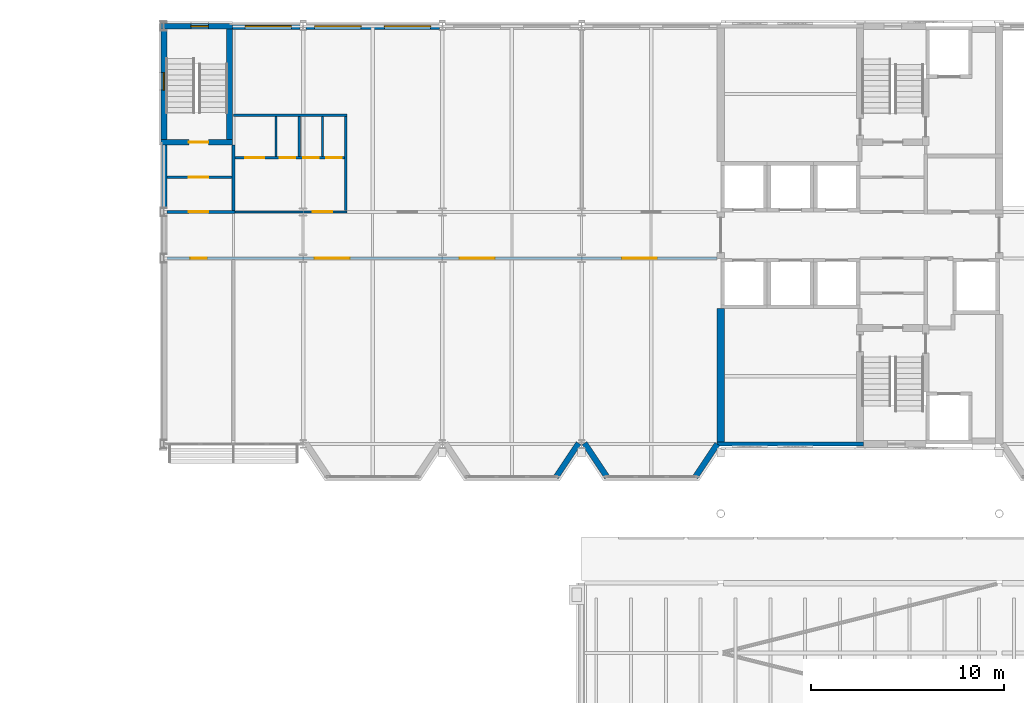
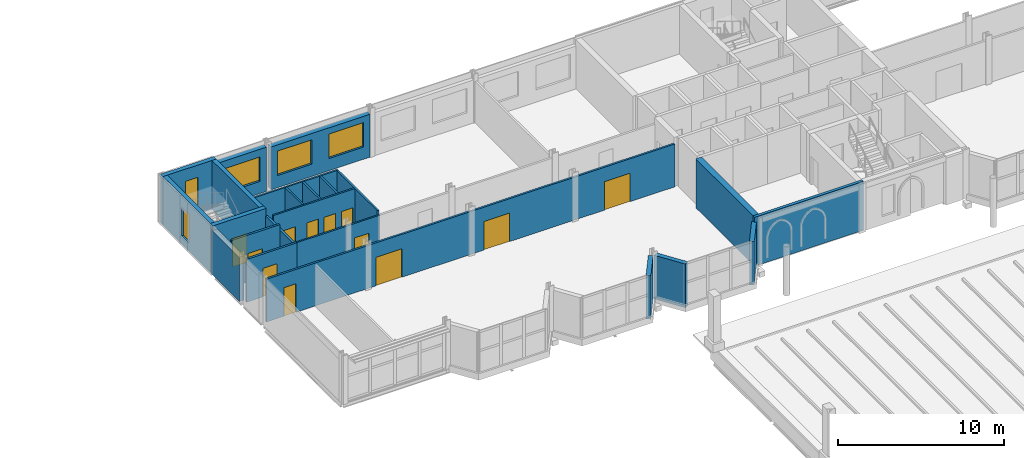
# One storey, part 61 of 120: 23 walls, 12 doors, 5 windows, 17 openings.
"""IFC4 building model written with IfcOpenShell, lengths in metres."""

from ifc_helpers import new_model, si_unit, direction, frame, frame_2d, origin, place, context, subcontext, project, spatial, rectangle, extrude, material, layer, layer_set, type_object, element, fill, save


model = new_model("IFC4")

# Units and contexts
model_context = context("Model", 3, precision=1e-05, world=origin(), true_north=direction((0.0, 1.0)))
body_context = subcontext(model_context, "Body", "Model", "MODEL_VIEW")
ifc_project = project(units=[si_unit("LENGTHUNIT", "METRE"), si_unit("AREAUNIT", "SQUARE_METRE"), si_unit("VOLUMEUNIT", "CUBIC_METRE"), si_unit("PLANEANGLEUNIT", "RADIAN"), si_unit("MASSUNIT", "GRAM", prefix="KILO")], contexts=[model_context])

# Site, building, storey
site_placement = place(None, origin())
site = spatial("IfcSite", under=ifc_project, at=site_placement, CompositionType="ELEMENT")
building_placement = place(site_placement, origin())
building = spatial("IfcBuilding", under=site, at=building_placement, Name="Kupolbacken Congress Centre", CompositionType="ELEMENT")
storey_placement = place(building_placement, frame((0.0, 0.0, 21.60009765625)))
storey = spatial("IfcBuildingStorey", under=building, at=storey_placement, Name="L06", CompositionType="ELEMENT", Elevation=21.60009765625)

# Walls
ifc_material_1 = material(Name="Limestone", Category="masonry")
ifc_layer_1 = layer(ifc_material_1, 0.06005859375)
ifc_material_2 = material(Name="Air cavity", Category="air")
ifc_layer_2 = layer(ifc_material_2, 0.0400390625, ventilated=True)
ifc_material_3 = material(Name="Mineral wool", Category="insulation")
ifc_layer_3 = layer(ifc_material_3, 0.14990234375)
ifc_material_4 = material(Name="Steel studs", Category="metal")
ifc_layer_4 = layer(ifc_material_4, 0.050048828125)
ifc_layer_set_1 = layer_set([ifc_layer_1, ifc_layer_2, ifc_layer_3, ifc_layer_4], Name="Limestone / Mineral wool / Steel studs")
wall_type_1 = type_object("IfcWallType", Name="EW01 external cavity wall 300", PredefinedType="SOLIDWALL", material=ifc_layer_set_1)
for number, where, z_axis, x_axis, name in (
    (1, (86.24658203125, 122.440185546875, 0.0), (0.0, 0.0, 1.0), (-0.554700196225, -0.832050294338, 0.0), "E/T/cumba/L06/S/006/facE"),
    (2, (86.553466796875, 122.440185546875, 0.0), (0.0, 0.0, 1.0), (0.554700196225, -0.832050294338, 0.0), "E/T/cumba/L06/S/010/facW"),
):
    element("IfcWall", number, at=place(storey_placement, frame(where, z_axis=z_axis, x_axis=x_axis)), inside=storey, type_object=wall_type_1, Name=name, PredefinedType="SOLIDWALL", context=body_context, shape_type="SweptSolid", body=[
        extrude(rectangle(XDim=2.11181640625, YDim=0.300048828125, at=frame_2d((1.055908203125, 0.0))), origin(), (0.0, 0.0, 1.0), 3.219970703125),
    ])
wall_1_placement = place(storey_placement, frame((93.419677734375, 122.39990234375, 0.0), z_axis=(0.0, 0.0, 1.0), x_axis=(-0.554700196225, -0.832050294338, 0.0)))
element("IfcWall", 3, at=wall_1_placement, inside=storey, type_object=wall_type_1, Name="E/T/cumba/L06/S/010/facE", PredefinedType="SOLIDWALL", context=body_context, shape_type="SweptSolid", body=[
    extrude(rectangle(XDim=2.063232421875, YDim=0.300048828125, at=frame_2d((1.03173828125, 0.0))), origin(), (0.0, 0.0, 1.0), 3.219970703125),
])

# Wall, openings, windows
ifc_material_5 = material(Name="Brick", Category="masonry")
ifc_layer_5 = layer(ifc_material_5, 0.10791015625)
ifc_layer_6 = layer(ifc_material_2, 0.050048828125, ventilated=True)
ifc_layer_7 = layer(ifc_material_3, 0.1298828125)
ifc_layer_8 = layer(ifc_material_4, 0.052001953125)
ifc_layer_set_2 = layer_set([ifc_layer_5, ifc_layer_6, ifc_layer_7, ifc_layer_8], Name="Brick / Mineral wool / Steel studs")
wall_type_2 = type_object("IfcWallType", Name="EW02 external cavity wall 340", PredefinedType="SOLIDWALL", material=ifc_layer_set_2)
wall_2_placement = place(storey_placement, frame((79.04638671875, 144.0, 0.0), z_axis=(0.0, 0.0, 1.0), x_axis=(-1.0, 0.0, 0.0)))
wall_2 = element("IfcWall", 4, at=wall_2_placement, inside=storey, type_object=wall_type_2, Name="E/T/N/L06/091", PredefinedType="SOLIDWALL", context=body_context, shape_type="SweptSolid", body=[
    extrude(rectangle(XDim=6.892822265625, YDim=0.340087890625, at=frame_2d((3.4462890625, 0.0))), origin(), (0.0, 0.0, 1.0), 3.159912109375),
])
opening_1_placement = place(wall_2_placement, frame((4.04638671875, 0.0, 0.89990234375)))
opening_1 = element("IfcOpeningElement", 5, at=opening_1_placement, cuts=wall_2, Name="Opening W8", PredefinedType="OPENING", context=body_context, shape_type="SweptSolid", body=[
    extrude(rectangle(XDim=2.39990234375, YDim=1.800048828125, at=frame_2d((1.199951171875, 0.89990234375))), frame((0.0, 0.179931640625, 0.0), z_axis=(0.0, -1.0, 0.0), x_axis=(1.0, 0.0, 0.0)), (0.0, 0.0, 1.0), 0.360107421875),
])
opening_2_placement = place(wall_2_placement, frame((0.446533203125, 0.0, 0.89990234375)))
opening_2 = element("IfcOpeningElement", 6, at=opening_2_placement, cuts=wall_2, Name="Opening W8", PredefinedType="OPENING", context=body_context, shape_type="SweptSolid", body=[
    extrude(rectangle(XDim=2.39990234375, YDim=1.800048828125, at=frame_2d((1.199951171875, 0.89990234375))), frame((0.0, 0.179931640625, 0.0), z_axis=(0.0, -1.0, 0.0), x_axis=(1.0, 0.0, 0.0)), (0.0, 0.0, 1.0), 0.360107421875),
])
ifc_material_6 = material(Name="Aluminium frame with double or triple glazing", Category="aluminium")
window_type_1 = type_object("IfcWindowType", Name="W8 window 2400x1800", PartitioningType="DOUBLE_PANEL_VERTICAL", PredefinedType="WINDOW", material=ifc_material_6)
window_1_placement = place(opening_1_placement, origin())
window_1 = element("IfcWindow", 7, at=window_1_placement, inside=storey, type_object=window_type_1, Name="E/T/N/L06/091/W1", OverallHeight=1.800048828125, OverallWidth=2.39990234375, PartitioningType="SINGLE_PANEL", PredefinedType="WINDOW", context=body_context, shape_type="SweptSolid", body=[
    extrude(rectangle(XDim=2.39990234375, YDim=1.800048828125, at=frame_2d((1.199951171875, 0.89990234375))), frame((0.0, 0.030029296875, 0.0), z_axis=(0.0, -1.0, 0.0), x_axis=(1.0, 0.0, 0.0)), (0.0, 0.0, 1.0), 0.06005859375),
])
fill(opening_1, window_1)
window_2_placement = place(opening_2_placement, origin())
window_2 = element("IfcWindow", 8, at=window_2_placement, inside=storey, type_object=window_type_1, Name="E/T/N/L06/091/W2", OverallHeight=1.800048828125, OverallWidth=2.39990234375, PartitioningType="SINGLE_PANEL", PredefinedType="WINDOW", context=body_context, shape_type="SweptSolid", body=[
    extrude(rectangle(XDim=2.39990234375, YDim=1.800048828125, at=frame_2d((1.199951171875, 0.89990234375))), frame((0.0, 0.030029296875, 0.0), z_axis=(0.0, -1.0, 0.0), x_axis=(1.0, 0.0, 0.0)), (0.0, 0.0, 1.0), 0.06005859375),
])
fill(opening_2, window_2)

# Wall, opening, window
wall_3_placement = place(storey_placement, frame((71.846435546875, 144.0, 0.0), z_axis=(0.0, 0.0, 1.0), x_axis=(-1.0, 0.0, 0.0)))
wall_3 = element("IfcWall", 9, at=wall_3_placement, inside=storey, type_object=wall_type_2, Name="E/T/N/L06/092", PredefinedType="SOLIDWALL", context=body_context, shape_type="SweptSolid", body=[
    extrude(rectangle(XDim=3.646484375, YDim=0.340087890625, at=frame_2d((1.8232421875, 0.0))), origin(), (0.0, 0.0, 1.0), 3.260009765625),
])
opening_3_placement = place(wall_3_placement, frame((0.446533203125, 0.0, 0.89990234375)))
opening_3 = element("IfcOpeningElement", 10, at=opening_3_placement, cuts=wall_3, Name="Opening W8", PredefinedType="OPENING", context=body_context, shape_type="SweptSolid", body=[
    extrude(rectangle(XDim=2.39990234375, YDim=1.800048828125, at=frame_2d((1.199951171875, 0.89990234375))), frame((0.0, 0.179931640625, 0.0), z_axis=(0.0, -1.0, 0.0), x_axis=(1.0, 0.0, 0.0)), (0.0, 0.0, 1.0), 0.360107421875),
])
window_3_placement = place(opening_3_placement, origin())
window_3 = element("IfcWindow", 11, at=window_3_placement, inside=storey, type_object=window_type_1, Name="E/T/N/L06/092/W1", OverallHeight=1.800048828125, OverallWidth=2.39990234375, PartitioningType="SINGLE_PANEL", PredefinedType="WINDOW", context=body_context, shape_type="SweptSolid", body=[
    extrude(rectangle(XDim=2.39990234375, YDim=1.800048828125, at=frame_2d((1.199951171875, 0.89990234375))), frame((0.0, 0.030029296875, 0.0), z_axis=(0.0, -1.0, 0.0), x_axis=(1.0, 0.0, 0.0)), (0.0, 0.0, 1.0), 0.06005859375),
])
fill(opening_3, window_3)

# Wall
wall_4_placement = place(storey_placement, frame((64.800048828125, 138.0, 0.0), z_axis=(0.0, 0.0, 1.0), x_axis=(0.0, -1.0, 0.0)))
element("IfcWall", 12, at=wall_4_placement, inside=storey, type_object=wall_type_2, Name="E/T/W/L06/096", PredefinedType="SOLIDWALL", context=body_context, shape_type="SweptSolid", body=[
    extrude(rectangle(XDim=3.375, YDim=0.340087890625, at=frame_2d((1.6875, 0.0))), origin(), (0.0, 0.0, 1.0), 3.260009765625),
])

# Wall, opening, door
ifc_material_7 = material(Name="Gypsum board", Category="drywall")
ifc_layer_9 = layer(ifc_material_7, 0.114990234375)
ifc_layer_set_3 = layer_set([ifc_layer_9], Name="Gypsum board")
wall_type_3 = type_object("IfcWallType", Name="P04 partition 115", PredefinedType="PARTITIONING", material=ifc_layer_set_3)
wall_5_placement = place(storey_placement, frame((68.330078125, 134.39990234375, 0.0), z_axis=(0.0, 0.0, 1.0), x_axis=(1.0, 0.0, 0.0)))
wall_5 = element("IfcWall", 13, at=wall_5_placement, inside=storey, type_object=wall_type_3, Name="T/wall/L06/x/13440/6840", PredefinedType="PARTITIONING", context=body_context, shape_type="SweptSolid", body=[
    extrude(rectangle(XDim=5.927490234375, YDim=0.114990234375, at=frame_2d((2.9638671875, 0.0))), origin(), (0.0, 0.0, 1.0), 3.159912109375),
])
opening_4_placement = place(wall_5_placement, frame((4.169921875, 0.0, 0.0)))
opening_4 = element("IfcOpeningElement", 14, at=opening_4_placement, cuts=wall_5, Name="Opening D39", PredefinedType="OPENING", context=body_context, shape_type="SweptSolid", body=[
    extrude(rectangle(XDim=1.0, YDim=2.10009765625, at=frame_2d((0.5, 1.050048828125))), frame((0.0, 0.0673828125, 0.0), z_axis=(0.0, -1.0, 0.0), x_axis=(1.0, 0.0, 0.0)), (0.0, 0.0, 1.0), 0.135009765625),
])
ifc_material_8 = material(Name="Timber door leaf", Category="wood")
door_type_1 = type_object("IfcDoorType", Name="D39 door 1000x2100", OperationType="SINGLE_SWING_LEFT", PredefinedType="DOOR", material=ifc_material_8)
door_1_placement = place(opening_4_placement, frame((1.0, 0.0, 0.0), z_axis=(0.0, 0.0, 1.0), x_axis=(-1.0, 0.0, 0.0)))
door_1 = element("IfcDoor", 15, at=door_1_placement, inside=storey, type_object=door_type_1, Name="T/wall/L06/x/13440/6840/D-WB-DE", OperationType="SINGLE_SWING_RIGHT", OverallHeight=2.10009765625, OverallWidth=1.0, PredefinedType="DOOR", context=body_context, shape_type="SweptSolid", body=[
    extrude(rectangle(XDim=1.0, YDim=2.10009765625, at=frame_2d((0.5, 1.050048828125))), frame((0.0, 0.02490234375, 0.0), z_axis=(0.0, -1.0, 0.0), x_axis=(1.0, 0.0, 0.0)), (0.0, 0.0, 1.0), 0.050048828125),
])
fill(opening_4, door_1)

# Wall, openings, doors
wall_6_placement = place(storey_placement, frame((68.469970703125, 137.199951171875, 0.0), z_axis=(0.0, 0.0, 1.0), x_axis=(1.0, 0.0, 0.0)))
wall_6 = element("IfcWall", 16, at=wall_6_placement, inside=storey, type_object=wall_type_3, Name="T/wall/L06/x/13720/6840", PredefinedType="PARTITIONING", context=body_context, shape_type="SweptSolid", body=[
    extrude(rectangle(XDim=5.672607421875, YDim=0.114990234375, at=frame_2d((2.83642578125, 0.0))), origin(), (0.0, 0.0, 1.0), 3.4599609375),
])
opening_5_placement = place(wall_6_placement, frame((0.530029296875, 0.0, 0.0)))
opening_5 = element("IfcOpeningElement", 17, at=opening_5_placement, cuts=wall_6, Name="Opening D39", PredefinedType="OPENING", context=body_context, shape_type="SweptSolid", body=[
    extrude(rectangle(XDim=1.0, YDim=2.10009765625, at=frame_2d((0.5, 1.050048828125))), frame((0.0, 0.0673828125, 0.0), z_axis=(0.0, -1.0, 0.0), x_axis=(1.0, 0.0, 0.0)), (0.0, 0.0, 1.0), 0.135009765625),
])
opening_6_placement = place(wall_6_placement, frame((2.330078125, 0.0, 0.0)))
opening_6 = element("IfcOpeningElement", 18, at=opening_6_placement, cuts=wall_6, Name="Opening D2", PredefinedType="OPENING", context=body_context, shape_type="SweptSolid", body=[
    extrude(rectangle(XDim=0.800048828125, YDim=2.10009765625, at=frame_2d((0.39990234375, 1.050048828125))), frame((0.0, 0.0673828125, 0.0), z_axis=(0.0, -1.0, 0.0), x_axis=(1.0, 0.0, 0.0)), (0.0, 0.0, 1.0), 0.135009765625),
])
opening_7_placement = place(wall_6_placement, frame((3.530029296875, 0.0, 0.0)))
opening_7 = element("IfcOpeningElement", 19, at=opening_7_placement, cuts=wall_6, Name="Opening D2", PredefinedType="OPENING", context=body_context, shape_type="SweptSolid", body=[
    extrude(rectangle(XDim=0.800048828125, YDim=2.10009765625, at=frame_2d((0.39990234375, 1.050048828125))), frame((0.0, 0.0673828125, 0.0), z_axis=(0.0, -1.0, 0.0), x_axis=(1.0, 0.0, 0.0)), (0.0, 0.0, 1.0), 0.135009765625),
])
opening_8_placement = place(wall_6_placement, frame((4.72998046875, 0.0, 0.0)))
opening_8 = element("IfcOpeningElement", 20, at=opening_8_placement, cuts=wall_6, Name="Opening D2", PredefinedType="OPENING", context=body_context, shape_type="SweptSolid", body=[
    extrude(rectangle(XDim=0.800048828125, YDim=2.10009765625, at=frame_2d((0.39990234375, 1.050048828125))), frame((0.0, 0.0673828125, 0.0), z_axis=(0.0, -1.0, 0.0), x_axis=(1.0, 0.0, 0.0)), (0.0, 0.0, 1.0), 0.135009765625),
])
ifc_material_9 = material(Name="Timber door leaf", Category="wood")
door_type_2 = type_object("IfcDoorType", Name="D2 door 800x2100", OperationType="SINGLE_SWING_LEFT", PredefinedType="DOOR", material=ifc_material_9)
door_2_placement = place(opening_6_placement, origin())
door_2 = element("IfcDoor", 21, at=door_2_placement, inside=storey, type_object=door_type_2, Name="T/wall/L06/x/13720/6840/D-WB-DC1", OperationType="SINGLE_SWING_LEFT", OverallHeight=2.10009765625, OverallWidth=0.800048828125, PredefinedType="DOOR", context=body_context, shape_type="SweptSolid", body=[
    extrude(rectangle(XDim=0.800048828125, YDim=2.10009765625, at=frame_2d((0.39990234375, 1.050048828125))), frame((0.0, 0.02490234375, 0.0), z_axis=(0.0, -1.0, 0.0), x_axis=(1.0, 0.0, 0.0)), (0.0, 0.0, 1.0), 0.050048828125),
])
fill(opening_6, door_2)
door_3_placement = place(opening_7_placement, origin())
door_3 = element("IfcDoor", 22, at=door_3_placement, inside=storey, type_object=door_type_2, Name="T/wall/L06/x/13720/6840/D-WB-DC2", OperationType="SINGLE_SWING_RIGHT", OverallHeight=2.10009765625, OverallWidth=0.800048828125, PredefinedType="DOOR", context=body_context, shape_type="SweptSolid", body=[
    extrude(rectangle(XDim=0.800048828125, YDim=2.10009765625, at=frame_2d((0.39990234375, 1.050048828125))), frame((0.0, 0.02490234375, 0.0), z_axis=(0.0, -1.0, 0.0), x_axis=(1.0, 0.0, 0.0)), (0.0, 0.0, 1.0), 0.050048828125),
])
fill(opening_7, door_3)
door_4_placement = place(opening_8_placement, origin())
door_4 = element("IfcDoor", 23, at=door_4_placement, inside=storey, type_object=door_type_2, Name="T/wall/L06/x/13720/6840/D-WB-DC3", OperationType="SINGLE_SWING_LEFT", OverallHeight=2.10009765625, OverallWidth=0.800048828125, PredefinedType="DOOR", context=body_context, shape_type="SweptSolid", body=[
    extrude(rectangle(XDim=0.800048828125, YDim=2.10009765625, at=frame_2d((0.39990234375, 1.050048828125))), frame((0.0, 0.02490234375, 0.0), z_axis=(0.0, -1.0, 0.0), x_axis=(1.0, 0.0, 0.0)), (0.0, 0.0, 1.0), 0.050048828125),
])
fill(opening_8, door_4)
door_5_placement = place(opening_5_placement, origin())
door_5 = element("IfcDoor", 24, at=door_5_placement, inside=storey, type_object=door_type_1, Name="T/wall/L06/x/13720/6840/D-WB-DA", OperationType="SINGLE_SWING_RIGHT", OverallHeight=2.10009765625, OverallWidth=1.0, PredefinedType="DOOR", context=body_context, shape_type="SweptSolid", body=[
    extrude(rectangle(XDim=1.0, YDim=2.10009765625, at=frame_2d((0.5, 1.050048828125))), frame((0.0, 0.02490234375, 0.0), z_axis=(0.0, -1.0, 0.0), x_axis=(1.0, 0.0, 0.0)), (0.0, 0.0, 1.0), 0.050048828125),
])
fill(opening_5, door_5)

# Walls
wall_7_placement = place(storey_placement, frame((68.39990234375, 139.39990234375, 0.0), z_axis=(0.0, 0.0, 1.0), x_axis=(1.0, 0.0, 0.0)))
element("IfcWall", 25, at=wall_7_placement, inside=storey, type_object=wall_type_3, Name="T/wall/L06/x/13940/6840", PredefinedType="PARTITIONING", context=body_context, shape_type="SweptSolid", body=[
    extrude(rectangle(XDim=5.857666015625, YDim=0.114990234375, at=frame_2d((2.9287109375, 0.0))), origin(), (0.0, 0.0, 1.0), 3.4599609375),
])
for number, where, z_axis, x_axis, name in (
    (26, (70.60009765625, 137.257568359375, 0.0), (0.0, 0.0, 1.0), (0.0, 1.0, 0.0), "T/wall/L06/y/7060/13720"),
    (27, (71.800048828125, 137.257568359375, 0.0), (0.0, 0.0, 1.0), (0.0, 1.0, 0.0), "T/wall/L06/y/7180/13720"),
    (28, (73.0, 137.257568359375, 0.0), (0.0, 0.0, 1.0), (0.0, 1.0, 0.0), "T/wall/L06/y/7300/13720"),
):
    element("IfcWall", number, at=place(storey_placement, frame(where, z_axis=z_axis, x_axis=x_axis)), inside=storey, type_object=wall_type_3, Name=name, PredefinedType="PARTITIONING", context=body_context, shape_type="SweptSolid", body=[
        extrude(rectangle(XDim=2.0849609375, YDim=0.114990234375, at=frame_2d((1.04248046875, 0.0))), origin(), (0.0, 0.0, 1.0), 3.4599609375),
    ])
wall_8_placement = place(storey_placement, frame((74.199951171875, 134.467529296875, 0.0), z_axis=(0.0, 0.0, 1.0), x_axis=(0.0, 1.0, 0.0)))
element("IfcWall", 29, at=wall_8_placement, inside=storey, type_object=wall_type_3, Name="T/wall/L06/y/7420/13440", PredefinedType="PARTITIONING", context=body_context, shape_type="SweptSolid", body=[
    extrude(rectangle(XDim=4.875, YDim=0.114990234375, at=frame_2d((2.4375, 0.0))), origin(), (0.0, 0.0, 1.0), 3.4599609375),
])

# Wall, openings, doors
ifc_material_10 = material(Name="Gypsum board", Category="drywall")
ifc_layer_10 = layer(ifc_material_10, 0.135009765625)
ifc_layer_set_4 = layer_set([ifc_layer_10], Name="Gypsum board")
wall_type_4 = type_object("IfcWallType", Name="P06 compartment wall 135", PredefinedType="PARTITIONING", material=ifc_layer_set_4)
wall_9_placement = place(storey_placement, frame((64.969970703125, 132.0, 0.0), z_axis=(0.0, 0.0, 1.0), x_axis=(1.0, 0.0, 0.0)))
wall_9 = element("IfcWall", 30, at=wall_9_placement, inside=storey, type_object=wall_type_4, Name="T/wall/L06/x/13200/6480", PredefinedType="PARTITIONING", context=body_context, shape_type="SweptSolid", body=[
    extrude(rectangle(XDim=28.429931640625, YDim=0.135009765625, at=frame_2d((14.21484375, 0.0))), origin(), (0.0, 0.0, 1.0), 3.159912109375),
])
opening_9_placement = place(wall_9_placement, frame((1.205078125, 0.0, 0.0)))
opening_9 = element("IfcOpeningElement", 31, at=opening_9_placement, cuts=wall_9, Name="Opening D3", PredefinedType="OPENING", context=body_context, shape_type="SweptSolid", body=[
    extrude(rectangle(XDim=0.85009765625, YDim=2.10009765625, at=frame_2d((0.425048828125, 1.050048828125))), frame((0.0, 0.077392578125, 0.0), z_axis=(0.0, -1.0, 0.0), x_axis=(1.0, 0.0, 0.0)), (0.0, 0.0, 1.0), 0.155029296875),
])
opening_10_placement = place(wall_9_placement, frame((7.6298828125, 0.0, 0.0)))
opening_10 = element("IfcOpeningElement", 32, at=opening_10_placement, cuts=wall_9, Name="Opening D14", PredefinedType="OPENING", context=body_context, shape_type="SweptSolid", body=[
    extrude(rectangle(XDim=1.800048828125, YDim=2.10009765625, at=frame_2d((0.89990234375, 1.050048828125))), frame((0.0, 0.077392578125, 0.0), z_axis=(0.0, -1.0, 0.0), x_axis=(1.0, 0.0, 0.0)), (0.0, 0.0, 1.0), 0.155029296875),
])
opening_11_placement = place(wall_9_placement, frame((15.1298828125, 0.0, 0.0)))
opening_11 = element("IfcOpeningElement", 33, at=opening_11_placement, cuts=wall_9, Name="Opening D14", PredefinedType="OPENING", context=body_context, shape_type="SweptSolid", body=[
    extrude(rectangle(XDim=1.800048828125, YDim=2.10009765625, at=frame_2d((0.89990234375, 1.050048828125))), frame((0.0, 0.077392578125, 0.0), z_axis=(0.0, -1.0, 0.0), x_axis=(1.0, 0.0, 0.0)), (0.0, 0.0, 1.0), 0.155029296875),
])
opening_12_placement = place(wall_9_placement, frame((23.530029296875, 0.0, 0.0)))
opening_12 = element("IfcOpeningElement", 34, at=opening_12_placement, cuts=wall_9, Name="Opening D14", PredefinedType="OPENING", context=body_context, shape_type="SweptSolid", body=[
    extrude(rectangle(XDim=1.800048828125, YDim=2.10009765625, at=frame_2d((0.89990234375, 1.050048828125))), frame((0.0, 0.077392578125, 0.0), z_axis=(0.0, -1.0, 0.0), x_axis=(1.0, 0.0, 0.0)), (0.0, 0.0, 1.0), 0.155029296875),
])
ifc_material_11 = material(Name="Steel fire door leaf", Category="steel")
door_type_3 = type_object("IfcDoorType", Name="D14 fire door 1800x2100", OperationType="DOUBLE_DOOR_SINGLE_SWING", PredefinedType="DOOR", material=ifc_material_11)
door_6_placement = place(opening_10_placement, frame((1.800048828125, 0.0, 0.0), z_axis=(0.0, 0.0, 1.0), x_axis=(-1.0, 0.0, 0.0)))
door_6 = element("IfcDoor", 35, at=door_6_placement, inside=storey, type_object=door_type_3, Name="T/wall/L06/x/13200/6480/D-OBC-S1", OperationType="DOUBLE_DOOR_SINGLE_SWING", OverallHeight=2.10009765625, OverallWidth=1.800048828125, PredefinedType="DOOR", context=body_context, shape_type="SweptSolid", body=[
    extrude(rectangle(XDim=1.800048828125, YDim=2.10009765625, at=frame_2d((0.89990234375, 1.050048828125))), frame((0.0, 0.02490234375, 0.0), z_axis=(0.0, -1.0, 0.0), x_axis=(1.0, 0.0, 0.0)), (0.0, 0.0, 1.0), 0.050048828125),
])
fill(opening_10, door_6)
door_7_placement = place(opening_11_placement, frame((1.800048828125, 0.0, 0.0), z_axis=(0.0, 0.0, 1.0), x_axis=(-1.0, 0.0, 0.0)))
door_7 = element("IfcDoor", 36, at=door_7_placement, inside=storey, type_object=door_type_3, Name="T/wall/L06/x/13200/6480/D-OBC-S2", OperationType="DOUBLE_DOOR_SINGLE_SWING", OverallHeight=2.10009765625, OverallWidth=1.800048828125, PredefinedType="DOOR", context=body_context, shape_type="SweptSolid", body=[
    extrude(rectangle(XDim=1.800048828125, YDim=2.10009765625, at=frame_2d((0.89990234375, 1.050048828125))), frame((0.0, 0.02490234375, 0.0), z_axis=(0.0, -1.0, 0.0), x_axis=(1.0, 0.0, 0.0)), (0.0, 0.0, 1.0), 0.050048828125),
])
fill(opening_11, door_7)
door_8_placement = place(opening_12_placement, frame((1.800048828125, 0.0, 0.0), z_axis=(0.0, 0.0, 1.0), x_axis=(-1.0, 0.0, 0.0)))
door_8 = element("IfcDoor", 37, at=door_8_placement, inside=storey, type_object=door_type_3, Name="T/wall/L06/x/13200/6480/D-OBC-S3", OperationType="DOUBLE_DOOR_SINGLE_SWING", OverallHeight=2.10009765625, OverallWidth=1.800048828125, PredefinedType="DOOR", context=body_context, shape_type="SweptSolid", body=[
    extrude(rectangle(XDim=1.800048828125, YDim=2.10009765625, at=frame_2d((0.89990234375, 1.050048828125))), frame((0.0, 0.02490234375, 0.0), z_axis=(0.0, -1.0, 0.0), x_axis=(1.0, 0.0, 0.0)), (0.0, 0.0, 1.0), 0.050048828125),
])
fill(opening_12, door_8)
ifc_material_12 = material(Name="Steel fire door leaf", Category="steel")
door_type_4 = type_object("IfcDoorType", Name="D3 fire door 850x2100", OperationType="SINGLE_SWING_LEFT", PredefinedType="DOOR", material=ifc_material_12)
door_9_placement = place(opening_9_placement, frame((0.85009765625, 0.0, 0.0), z_axis=(0.0, 0.0, 1.0), x_axis=(-1.0, 0.0, 0.0)))
door_9 = element("IfcDoor", 38, at=door_9_placement, inside=storey, type_object=door_type_4, Name="T/wall/L06/x/13200/6480/D-WE-D", OperationType="SINGLE_SWING_LEFT", OverallHeight=2.10009765625, OverallWidth=0.85009765625, PredefinedType="DOOR", context=body_context, shape_type="SweptSolid", body=[
    extrude(rectangle(XDim=0.85009765625, YDim=2.10009765625, at=frame_2d((0.425048828125, 1.050048828125))), frame((0.0, 0.02490234375, 0.0), z_axis=(0.0, -1.0, 0.0), x_axis=(1.0, 0.0, 0.0)), (0.0, 0.0, 1.0), 0.050048828125),
])
fill(opening_9, door_9)

# Wall, opening, door
ifc_material_13 = material(Name="Aerated concrete block", Category="masonry")
ifc_layer_11 = layer(ifc_material_13, 0.139892578125)
ifc_layer_set_5 = layer_set([ifc_layer_11], Name="Aerated concrete block")
wall_type_5 = type_object("IfcWallType", Name="P14 compartment wall 140", PredefinedType="PARTITIONING", material=ifc_layer_set_5)
wall_10_placement = place(storey_placement, frame((64.969970703125, 134.39990234375, 0.0), z_axis=(0.0, 0.0, 1.0), x_axis=(1.0, 0.0, 0.0)))
wall_10 = element("IfcWall", 39, at=wall_10_placement, inside=storey, type_object=wall_type_5, Name="T/wall/L06/x/13440/6480", PredefinedType="PARTITIONING", context=body_context, shape_type="SweptSolid", body=[
    extrude(rectangle(XDim=3.5, YDim=0.139892578125, at=frame_2d((1.75, 0.0))), origin(), (0.0, 0.0, 1.0), 3.159912109375),
])
opening_13_placement = place(wall_10_placement, frame((1.1298828125, 0.0, 0.0)))
opening_13 = element("IfcOpeningElement", 40, at=opening_13_placement, cuts=wall_10, Name="Opening D5", PredefinedType="OPENING", context=body_context, shape_type="SweptSolid", body=[
    extrude(rectangle(XDim=1.0, YDim=2.10009765625, at=frame_2d((0.5, 1.050048828125))), frame((0.0, 0.079833984375, 0.0), z_axis=(0.0, -1.0, 0.0), x_axis=(1.0, 0.0, 0.0)), (0.0, 0.0, 1.0), 0.159912109375),
])
ifc_material_14 = material(Name="Steel fire door leaf", Category="steel")
door_type_5 = type_object("IfcDoorType", Name="D5 stair door 1000x2100", OperationType="SINGLE_SWING_LEFT", PredefinedType="DOOR", material=ifc_material_14)
door_10_placement = place(opening_13_placement, frame((1.0, 0.0, 0.0), z_axis=(0.0, 0.0, 1.0), x_axis=(-1.0, 0.0, 0.0)))
door_10 = element("IfcDoor", 41, at=door_10_placement, inside=storey, type_object=door_type_5, Name="T/wall/L06/x/13440/6480/D-TS3-LK3", OperationType="SINGLE_SWING_LEFT", OverallHeight=2.10009765625, OverallWidth=1.0, PredefinedType="DOOR", context=body_context, shape_type="SweptSolid", body=[
    extrude(rectangle(XDim=1.0, YDim=2.10009765625, at=frame_2d((0.5, 1.050048828125))), frame((0.0, 0.02490234375, 0.0), z_axis=(0.0, -1.0, 0.0), x_axis=(1.0, 0.0, 0.0)), (0.0, 0.0, 1.0), 0.050048828125),
])
fill(opening_13, door_10)

wall_11_placement = place(storey_placement, frame((64.969970703125, 136.199951171875, 0.0), z_axis=(0.0, 0.0, 1.0), x_axis=(1.0, 0.0, 0.0)))
wall_11 = element("IfcWall", 42, at=wall_11_placement, inside=storey, type_object=wall_type_5, Name="T/wall/L06/x/13620/6480", PredefinedType="PARTITIONING", context=body_context, shape_type="SweptSolid", body=[
    extrude(rectangle(XDim=3.360107421875, YDim=0.139892578125, at=frame_2d((1.68017578125, 0.0))), origin(), (0.0, 0.0, 1.0), 3.4599609375),
])
opening_14_placement = place(wall_11_placement, frame((1.1298828125, 0.0, 0.0)))
opening_14 = element("IfcOpeningElement", 43, at=opening_14_placement, cuts=wall_11, Name="Opening D5", PredefinedType="OPENING", context=body_context, shape_type="SweptSolid", body=[
    extrude(rectangle(XDim=1.0, YDim=2.10009765625, at=frame_2d((0.5, 1.050048828125))), frame((0.0, 0.079833984375, 0.0), z_axis=(0.0, -1.0, 0.0), x_axis=(1.0, 0.0, 0.0)), (0.0, 0.0, 1.0), 0.159912109375),
])
door_11_placement = place(opening_14_placement, frame((1.0, 0.0, 0.0), z_axis=(0.0, 0.0, 1.0), x_axis=(-1.0, 0.0, 0.0)))
door_11 = element("IfcDoor", 44, at=door_11_placement, inside=storey, type_object=door_type_5, Name="T/wall/L06/x/13620/6480/D-TS3-LK2", OperationType="SINGLE_SWING_LEFT", OverallHeight=2.10009765625, OverallWidth=1.0, PredefinedType="DOOR", context=body_context, shape_type="SweptSolid", body=[
    extrude(rectangle(XDim=1.0, YDim=2.10009765625, at=frame_2d((0.5, 1.050048828125))), frame((0.0, 0.02490234375, 0.0), z_axis=(0.0, -1.0, 0.0), x_axis=(1.0, 0.0, 0.0)), (0.0, 0.0, 1.0), 0.050048828125),
])
fill(opening_14, door_11)

# Walls
wall_12_placement = place(storey_placement, frame((68.39990234375, 134.469970703125, 0.0), z_axis=(0.0, 0.0, 1.0), x_axis=(0.0, 1.0, 0.0)))
element("IfcWall", 45, at=wall_12_placement, inside=storey, type_object=wall_type_5, Name="T/wall/L06/y/6840/13440", PredefinedType="PARTITIONING", context=body_context, shape_type="SweptSolid", body=[
    extrude(rectangle(XDim=3.380126953125, YDim=0.139892578125, at=frame_2d((1.68994140625, 0.0))), origin(), (0.0, 0.0, 1.0), 3.059814453125),
])
ifc_material_15 = material(Name="Concrete C40/50", Category="concrete")
ifc_layer_12 = layer(ifc_material_15, 0.199951171875)
ifc_layer_set_6 = layer_set([ifc_layer_12], Name="Concrete C40/50")
wall_type_6 = type_object("IfcWallType", Name="WC1 RC shaft wall 200", PredefinedType="SHEAR", material=ifc_layer_set_6)
wall_13_placement = place(storey_placement, frame((93.39990234375, 122.39990234375, 0.0), z_axis=(0.0, 0.0, 1.0), x_axis=(1.0, 0.0, 0.0)))
element("IfcWall", 46, at=wall_13_placement, inside=storey, type_object=wall_type_6, Name="Shaft wall L06-078", PredefinedType="SHEAR", context=body_context, shape_type="SweptSolid", body=[
    extrude(rectangle(XDim=7.5751953125, YDim=0.199951171875, at=frame_2d((3.78759765625, 0.0))), origin(), (0.0, 0.0, 1.0), 3.599853515625),
])

# Wall, opening, door
ifc_material_16 = material(Name="Concrete C40/50", Category="concrete")
ifc_layer_13 = layer(ifc_material_16, 0.300048828125)
ifc_layer_set_7 = layer_set([ifc_layer_13], Name="Concrete C40/50")
wall_type_7 = type_object("IfcWallType", Name="WC3 RC core wall 300", PredefinedType="SHEAR", material=ifc_layer_set_7)
wall_14_placement = place(storey_placement, frame((64.64990234375, 138.0, 0.0), z_axis=(0.0, 0.0, 1.0), x_axis=(1.0, 0.0, 0.0)))
wall_14 = element("IfcWall", 47, at=wall_14_placement, inside=storey, type_object=wall_type_7, Name="Core wall L06-118", PredefinedType="SHEAR", context=body_context, shape_type="SweptSolid", body=[
    extrude(rectangle(XDim=3.7001953125, YDim=0.300048828125, at=frame_2d((1.85009765625, 0.0))), origin(), (0.0, 0.0, 1.0), 3.599853515625),
])
opening_15_placement = place(wall_14_placement, frame((1.449951171875, 0.0, 0.0)))
opening_15 = element("IfcOpeningElement", 48, at=opening_15_placement, cuts=wall_14, Name="Opening D5", PredefinedType="OPENING", context=body_context, shape_type="SweptSolid", body=[
    extrude(rectangle(XDim=1.0, YDim=2.10009765625, at=frame_2d((0.5, 1.050048828125))), frame((0.0, 0.159912109375, 0.0), z_axis=(0.0, -1.0, 0.0), x_axis=(1.0, 0.0, 0.0)), (0.0, 0.0, 1.0), 0.320068359375),
])
door_12_placement = place(opening_15_placement, origin())
door_12 = element("IfcDoor", 49, at=door_12_placement, inside=storey, type_object=door_type_5, Name="S/core/L06/118/D-TS3-LK1", OperationType="SINGLE_SWING_LEFT", OverallHeight=2.10009765625, OverallWidth=1.0, PredefinedType="DOOR", context=body_context, shape_type="SweptSolid", body=[
    extrude(rectangle(XDim=1.0, YDim=2.10009765625, at=frame_2d((0.5, 1.050048828125))), frame((0.0, 0.02490234375, 0.0), z_axis=(0.0, -1.0, 0.0), x_axis=(1.0, 0.0, 0.0)), (0.0, 0.0, 1.0), 0.050048828125),
])
fill(opening_15, door_12)

# Wall
wall_15_placement = place(storey_placement, frame((68.199951171875, 137.85009765625, 0.0), z_axis=(0.0, 0.0, 1.0), x_axis=(0.0, 1.0, 0.0)))
element("IfcWall", 50, at=wall_15_placement, inside=storey, type_object=wall_type_7, Name="Core wall L06-119", PredefinedType="SHEAR", context=body_context, shape_type="SweptSolid", body=[
    extrude(rectangle(XDim=6.2998046875, YDim=0.300048828125, at=frame_2d((3.14990234375, 0.0))), origin(), (0.0, 0.0, 1.0), 3.599853515625),
])

# Wall, opening, window
wall_16_placement = place(storey_placement, frame((64.800048828125, 144.14990234375, 0.0), z_axis=(0.0, 0.0, 1.0), x_axis=(0.0, -1.0, 0.0)))
wall_16 = element("IfcWall", 51, at=wall_16_placement, inside=storey, type_object=wall_type_7, Name="Core wall L06-124", PredefinedType="SHEAR", context=body_context, shape_type="SweptSolid", body=[
    extrude(rectangle(XDim=6.2998046875, YDim=0.300048828125, at=frame_2d((3.14990234375, 0.0))), origin(), (0.0, 0.0, 1.0), 3.599853515625),
])
opening_16_placement = place(wall_16_placement, frame((2.550048828125, 0.0, 0.60009765625)))
opening_16 = element("IfcOpeningElement", 52, at=opening_16_placement, cuts=wall_16, Name="Opening W28", PredefinedType="OPENING", context=body_context, shape_type="SweptSolid", body=[
    extrude(rectangle(XDim=0.89990234375, YDim=2.10009765625, at=frame_2d((0.449951171875, 1.050048828125))), frame((0.0, 0.159912109375, 0.0), z_axis=(0.0, -1.0, 0.0), x_axis=(1.0, 0.0, 0.0)), (0.0, 0.0, 1.0), 0.320068359375),
])
ifc_material_17 = material(Name="Aluminium frame with double or triple glazing", Category="aluminium")
window_type_2 = type_object("IfcWindowType", Name="W28 window 900x2100", PartitioningType="SINGLE_PANEL", PredefinedType="WINDOW", material=ifc_material_17)
window_4_placement = place(opening_16_placement, origin())
window_4 = element("IfcWindow", 53, at=window_4_placement, inside=storey, type_object=window_type_2, Name="S/core/L06/124/WW28", OverallHeight=2.10009765625, OverallWidth=0.89990234375, PartitioningType="SINGLE_PANEL", PredefinedType="WINDOW", context=body_context, shape_type="SweptSolid", body=[
    extrude(rectangle(XDim=0.89990234375, YDim=2.10009765625, at=frame_2d((0.449951171875, 1.050048828125))), frame((0.0, 0.030029296875, 0.0), z_axis=(0.0, -1.0, 0.0), x_axis=(1.0, 0.0, 0.0)), (0.0, 0.0, 1.0), 0.06005859375),
])
fill(opening_16, window_4)

wall_17_placement = place(storey_placement, frame((68.35009765625, 144.0, 0.0), z_axis=(0.0, 0.0, 1.0), x_axis=(-1.0, 0.0, 0.0)))
wall_17 = element("IfcWall", 54, at=wall_17_placement, inside=storey, type_object=wall_type_7, Name="Core wall L06-125", PredefinedType="SHEAR", context=body_context, shape_type="SweptSolid", body=[
    extrude(rectangle(XDim=3.7001953125, YDim=0.300048828125, at=frame_2d((1.85009765625, 0.0))), origin(), (0.0, 0.0, 1.0), 3.599853515625),
])
opening_17_placement = place(wall_17_placement, frame((1.25, 0.0, 0.60009765625)))
opening_17 = element("IfcOpeningElement", 55, at=opening_17_placement, cuts=wall_17, Name="Opening W28", PredefinedType="OPENING", context=body_context, shape_type="SweptSolid", body=[
    extrude(rectangle(XDim=0.89990234375, YDim=2.10009765625, at=frame_2d((0.449951171875, 1.050048828125))), frame((0.0, 0.159912109375, 0.0), z_axis=(0.0, -1.0, 0.0), x_axis=(1.0, 0.0, 0.0)), (0.0, 0.0, 1.0), 0.320068359375),
])
window_5_placement = place(opening_17_placement, origin())
window_5 = element("IfcWindow", 56, at=window_5_placement, inside=storey, type_object=window_type_2, Name="S/core/L06/125/WW28", OverallHeight=2.10009765625, OverallWidth=0.89990234375, PartitioningType="SINGLE_PANEL", PredefinedType="WINDOW", context=body_context, shape_type="SweptSolid", body=[
    extrude(rectangle(XDim=0.89990234375, YDim=2.10009765625, at=frame_2d((0.449951171875, 1.050048828125))), frame((0.0, 0.030029296875, 0.0), z_axis=(0.0, -1.0, 0.0), x_axis=(1.0, 0.0, 0.0)), (0.0, 0.0, 1.0), 0.06005859375),
])
fill(opening_17, window_5)

# Wall
ifc_material_18 = material(Name="Concrete C40/50", Category="concrete")
ifc_layer_14 = layer(ifc_material_18, 0.39990234375)
ifc_layer_set_8 = layer_set([ifc_layer_14], Name="Concrete C40/50")
wall_type_8 = type_object("IfcWallType", Name="WC5 RC core wall 400", PredefinedType="SHEAR", material=ifc_layer_set_8)
wall_18_placement = place(storey_placement, frame((93.60009765625, 129.39990234375, 0.0), z_axis=(0.0, 0.0, 1.0), x_axis=(0.0, -1.0, 0.0)))
element("IfcWall", 57, at=wall_18_placement, inside=storey, type_object=wall_type_8, Name="Core wall L06-100", PredefinedType="SHEAR", context=body_context, shape_type="SweptSolid", body=[
    extrude(rectangle(XDim=7.099853515625, YDim=0.39990234375, at=frame_2d((3.5498046875, 0.0))), origin(), (0.0, 0.0, 1.0), 3.599853515625),
])

save(model, "model.ifc")
